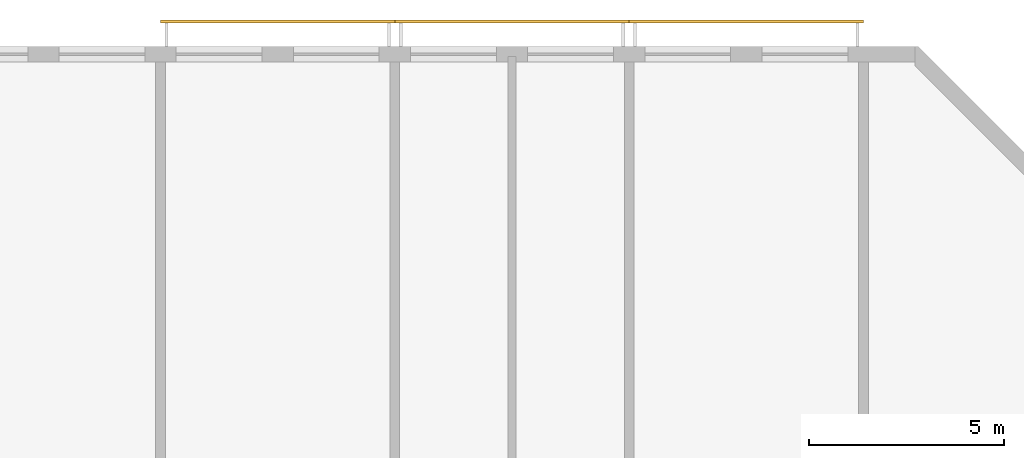
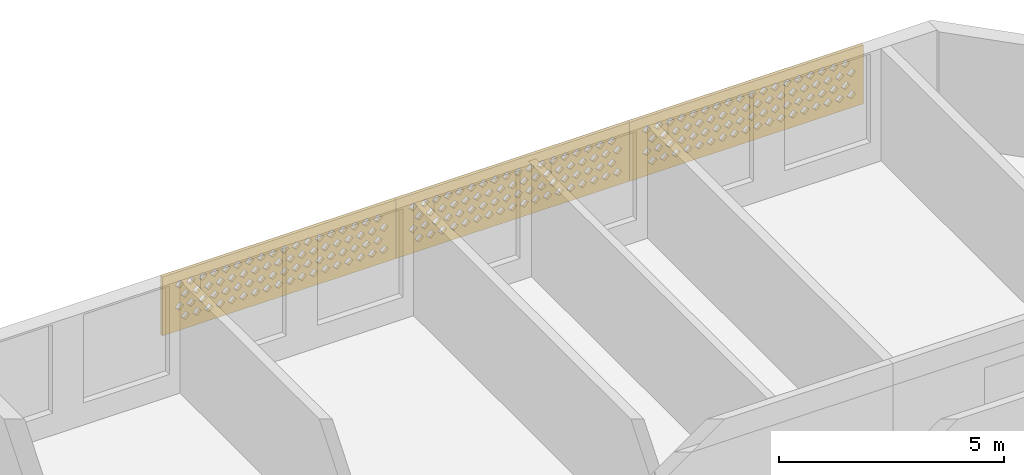
# One storey, part 15 of 16: 3 coverings.
"""IFC4 building model written with IfcOpenShell, lengths in metres."""

from ifc_helpers import new_model, si_unit, direction, frame, origin, place, context, subcontext, project, spatial, polyline, outline, extrude, source, transform, mapped, material, material_profile, profile_set, type_object, element, save


model = new_model("IFC4")

# Units and contexts
model_context = context("Model", 3, precision=1e-05, world=origin(), true_north=direction((0.0, 1.0)))
body_context = subcontext(model_context, "Body", "Model", "MODEL_VIEW")
ifc_project = project(units=[si_unit("LENGTHUNIT", "METRE"), si_unit("AREAUNIT", "SQUARE_METRE"), si_unit("VOLUMEUNIT", "CUBIC_METRE"), si_unit("PLANEANGLEUNIT", "RADIAN"), si_unit("MASSUNIT", "GRAM", prefix="KILO")], contexts=[model_context])

# Site, building, storey
site_placement = place(None, origin())
site = spatial("IfcSite", under=ifc_project, at=site_placement, CompositionType="ELEMENT")
building_placement = place(site_placement, origin())
building = spatial("IfcBuilding", under=site, at=building_placement, Name="Poui Terraces", CompositionType="ELEMENT")
storey_placement = place(building_placement, frame((0.0, 0.0, 282.300048828125)))
storey = spatial("IfcBuildingStorey", under=building, at=storey_placement, Name="L78 CROWN", CompositionType="ELEMENT", Elevation=282.300048828125)

# Coverings
ifc_material = material(Name="Terracotta screen", Category="masonry")
ifc_material_profile = material_profile(ifc_material, outline(polyline([(-3.0, -0.800048828125), (3.0, -0.800048828125), (3.0, 0.800048828125), (-3.0, 0.800048828125), (-3.0, -0.800048828125)]), holes=[polyline([(-2.800048828125, -0.449951171875), (-2.68994140625, -0.56005859375), (-2.580078125, -0.449951171875), (-2.68994140625, -0.340087890625), (-2.800048828125, -0.449951171875)]), polyline([(-2.5, -0.449951171875), (-2.389892578125, -0.56005859375), (-2.280029296875, -0.449951171875), (-2.389892578125, -0.340087890625), (-2.5, -0.449951171875)]), polyline([(-2.199951171875, -0.449951171875), (-2.090087890625, -0.56005859375), (-1.97998046875, -0.449951171875), (-2.090087890625, -0.340087890625), (-2.199951171875, -0.449951171875)]), polyline([(-1.89990234375, -0.449951171875), (-1.7900390625, -0.56005859375), (-1.679931640625, -0.449951171875), (-1.7900390625, -0.340087890625), (-1.89990234375, -0.449951171875)]), polyline([(-1.60009765625, -0.449951171875), (-1.489990234375, -0.56005859375), (-1.3798828125, -0.449951171875), (-1.489990234375, -0.340087890625), (-1.60009765625, -0.449951171875)]), polyline([(-1.300048828125, -0.449951171875), (-1.18994140625, -0.56005859375), (-1.080078125, -0.449951171875), (-1.18994140625, -0.340087890625), (-1.300048828125, -0.449951171875)]), polyline([(-1.0, -0.449951171875), (-0.889892578125, -0.56005859375), (-0.780029296875, -0.449951171875), (-0.889892578125, -0.340087890625), (-1.0, -0.449951171875)]), polyline([(-0.699951171875, -0.449951171875), (-0.590087890625, -0.56005859375), (-0.47998046875, -0.449951171875), (-0.590087890625, -0.340087890625), (-0.699951171875, -0.449951171875)]), polyline([(-0.39990234375, -0.449951171875), (-0.2900390625, -0.56005859375), (-0.179931640625, -0.449951171875), (-0.2900390625, -0.340087890625), (-0.39990234375, -0.449951171875)]), polyline([(-0.10009765625, -0.449951171875), (0.010009765625, -0.56005859375), (0.1201171875, -0.449951171875), (0.010009765625, -0.340087890625), (-0.10009765625, -0.449951171875)]), polyline([(0.199951171875, -0.449951171875), (0.31005859375, -0.56005859375), (0.419921875, -0.449951171875), (0.31005859375, -0.340087890625), (0.199951171875, -0.449951171875)]), polyline([(0.5, -0.449951171875), (0.610107421875, -0.56005859375), (0.719970703125, -0.449951171875), (0.610107421875, -0.340087890625), (0.5, -0.449951171875)]), polyline([(0.800048828125, -0.449951171875), (0.909912109375, -0.56005859375), (1.02001953125, -0.449951171875), (0.909912109375, -0.340087890625), (0.800048828125, -0.449951171875)]), polyline([(1.10009765625, -0.449951171875), (1.2099609375, -0.56005859375), (1.320068359375, -0.449951171875), (1.2099609375, -0.340087890625), (1.10009765625, -0.449951171875)]), polyline([(1.39990234375, -0.449951171875), (1.510009765625, -0.56005859375), (1.6201171875, -0.449951171875), (1.510009765625, -0.340087890625), (1.39990234375, -0.449951171875)]), polyline([(1.699951171875, -0.449951171875), (1.81005859375, -0.56005859375), (1.919921875, -0.449951171875), (1.81005859375, -0.340087890625), (1.699951171875, -0.449951171875)]), polyline([(2.0, -0.449951171875), (2.110107421875, -0.56005859375), (2.219970703125, -0.449951171875), (2.110107421875, -0.340087890625), (2.0, -0.449951171875)]), polyline([(2.300048828125, -0.449951171875), (2.409912109375, -0.56005859375), (2.52001953125, -0.449951171875), (2.409912109375, -0.340087890625), (2.300048828125, -0.449951171875)]), polyline([(-2.64990234375, -0.14990234375), (-2.5400390625, -0.260009765625), (-2.429931640625, -0.14990234375), (-2.5400390625, -0.0400390625), (-2.64990234375, -0.14990234375)]), polyline([(-2.35009765625, -0.14990234375), (-2.239990234375, -0.260009765625), (-2.1298828125, -0.14990234375), (-2.239990234375, -0.0400390625), (-2.35009765625, -0.14990234375)]), polyline([(-2.050048828125, -0.14990234375), (-1.93994140625, -0.260009765625), (-1.830078125, -0.14990234375), (-1.93994140625, -0.0400390625), (-2.050048828125, -0.14990234375)]), polyline([(-1.75, -0.14990234375), (-1.639892578125, -0.260009765625), (-1.530029296875, -0.14990234375), (-1.639892578125, -0.0400390625), (-1.75, -0.14990234375)]), polyline([(-1.449951171875, -0.14990234375), (-1.340087890625, -0.260009765625), (-1.22998046875, -0.14990234375), (-1.340087890625, -0.0400390625), (-1.449951171875, -0.14990234375)]), polyline([(-1.14990234375, -0.14990234375), (-1.0400390625, -0.260009765625), (-0.929931640625, -0.14990234375), (-1.0400390625, -0.0400390625), (-1.14990234375, -0.14990234375)]), polyline([(-0.85009765625, -0.14990234375), (-0.739990234375, -0.260009765625), (-0.6298828125, -0.14990234375), (-0.739990234375, -0.0400390625), (-0.85009765625, -0.14990234375)]), polyline([(-0.550048828125, -0.14990234375), (-0.43994140625, -0.260009765625), (-0.330078125, -0.14990234375), (-0.43994140625, -0.0400390625), (-0.550048828125, -0.14990234375)]), polyline([(-0.25, -0.14990234375), (-0.139892578125, -0.260009765625), (-0.030029296875, -0.14990234375), (-0.139892578125, -0.0400390625), (-0.25, -0.14990234375)]), polyline([(0.050048828125, -0.14990234375), (0.159912109375, -0.260009765625), (0.27001953125, -0.14990234375), (0.159912109375, -0.0400390625), (0.050048828125, -0.14990234375)]), polyline([(0.35009765625, -0.14990234375), (0.4599609375, -0.260009765625), (0.570068359375, -0.14990234375), (0.4599609375, -0.0400390625), (0.35009765625, -0.14990234375)]), polyline([(0.64990234375, -0.14990234375), (0.760009765625, -0.260009765625), (0.8701171875, -0.14990234375), (0.760009765625, -0.0400390625), (0.64990234375, -0.14990234375)]), polyline([(0.949951171875, -0.14990234375), (1.06005859375, -0.260009765625), (1.169921875, -0.14990234375), (1.06005859375, -0.0400390625), (0.949951171875, -0.14990234375)]), polyline([(1.25, -0.14990234375), (1.360107421875, -0.260009765625), (1.469970703125, -0.14990234375), (1.360107421875, -0.0400390625), (1.25, -0.14990234375)]), polyline([(1.550048828125, -0.14990234375), (1.659912109375, -0.260009765625), (1.77001953125, -0.14990234375), (1.659912109375, -0.0400390625), (1.550048828125, -0.14990234375)]), polyline([(1.85009765625, -0.14990234375), (1.9599609375, -0.260009765625), (2.070068359375, -0.14990234375), (1.9599609375, -0.0400390625), (1.85009765625, -0.14990234375)]), polyline([(2.14990234375, -0.14990234375), (2.260009765625, -0.260009765625), (2.3701171875, -0.14990234375), (2.260009765625, -0.0400390625), (2.14990234375, -0.14990234375)]), polyline([(2.449951171875, -0.14990234375), (2.56005859375, -0.260009765625), (2.669921875, -0.14990234375), (2.56005859375, -0.0400390625), (2.449951171875, -0.14990234375)]), polyline([(-2.800048828125, 0.14990234375), (-2.68994140625, 0.0400390625), (-2.580078125, 0.14990234375), (-2.68994140625, 0.260009765625), (-2.800048828125, 0.14990234375)]), polyline([(-2.5, 0.14990234375), (-2.389892578125, 0.0400390625), (-2.280029296875, 0.14990234375), (-2.389892578125, 0.260009765625), (-2.5, 0.14990234375)]), polyline([(-2.199951171875, 0.14990234375), (-2.090087890625, 0.0400390625), (-1.97998046875, 0.14990234375), (-2.090087890625, 0.260009765625), (-2.199951171875, 0.14990234375)]), polyline([(-1.89990234375, 0.14990234375), (-1.7900390625, 0.0400390625), (-1.679931640625, 0.14990234375), (-1.7900390625, 0.260009765625), (-1.89990234375, 0.14990234375)]), polyline([(-1.60009765625, 0.14990234375), (-1.489990234375, 0.0400390625), (-1.3798828125, 0.14990234375), (-1.489990234375, 0.260009765625), (-1.60009765625, 0.14990234375)]), polyline([(-1.300048828125, 0.14990234375), (-1.18994140625, 0.0400390625), (-1.080078125, 0.14990234375), (-1.18994140625, 0.260009765625), (-1.300048828125, 0.14990234375)]), polyline([(-1.0, 0.14990234375), (-0.889892578125, 0.0400390625), (-0.780029296875, 0.14990234375), (-0.889892578125, 0.260009765625), (-1.0, 0.14990234375)]), polyline([(-0.699951171875, 0.14990234375), (-0.590087890625, 0.0400390625), (-0.47998046875, 0.14990234375), (-0.590087890625, 0.260009765625), (-0.699951171875, 0.14990234375)]), polyline([(-0.39990234375, 0.14990234375), (-0.2900390625, 0.0400390625), (-0.179931640625, 0.14990234375), (-0.2900390625, 0.260009765625), (-0.39990234375, 0.14990234375)]), polyline([(-0.10009765625, 0.14990234375), (0.010009765625, 0.0400390625), (0.1201171875, 0.14990234375), (0.010009765625, 0.260009765625), (-0.10009765625, 0.14990234375)]), polyline([(0.199951171875, 0.14990234375), (0.31005859375, 0.0400390625), (0.419921875, 0.14990234375), (0.31005859375, 0.260009765625), (0.199951171875, 0.14990234375)]), polyline([(0.5, 0.14990234375), (0.610107421875, 0.0400390625), (0.719970703125, 0.14990234375), (0.610107421875, 0.260009765625), (0.5, 0.14990234375)]), polyline([(0.800048828125, 0.14990234375), (0.909912109375, 0.0400390625), (1.02001953125, 0.14990234375), (0.909912109375, 0.260009765625), (0.800048828125, 0.14990234375)]), polyline([(1.10009765625, 0.14990234375), (1.2099609375, 0.0400390625), (1.320068359375, 0.14990234375), (1.2099609375, 0.260009765625), (1.10009765625, 0.14990234375)]), polyline([(1.39990234375, 0.14990234375), (1.510009765625, 0.0400390625), (1.6201171875, 0.14990234375), (1.510009765625, 0.260009765625), (1.39990234375, 0.14990234375)]), polyline([(1.699951171875, 0.14990234375), (1.81005859375, 0.0400390625), (1.919921875, 0.14990234375), (1.81005859375, 0.260009765625), (1.699951171875, 0.14990234375)]), polyline([(2.0, 0.14990234375), (2.110107421875, 0.0400390625), (2.219970703125, 0.14990234375), (2.110107421875, 0.260009765625), (2.0, 0.14990234375)]), polyline([(2.300048828125, 0.14990234375), (2.409912109375, 0.0400390625), (2.52001953125, 0.14990234375), (2.409912109375, 0.260009765625), (2.300048828125, 0.14990234375)]), polyline([(-2.64990234375, 0.449951171875), (-2.5400390625, 0.340087890625), (-2.429931640625, 0.449951171875), (-2.5400390625, 0.56005859375), (-2.64990234375, 0.449951171875)]), polyline([(-2.35009765625, 0.449951171875), (-2.239990234375, 0.340087890625), (-2.1298828125, 0.449951171875), (-2.239990234375, 0.56005859375), (-2.35009765625, 0.449951171875)]), polyline([(-2.050048828125, 0.449951171875), (-1.93994140625, 0.340087890625), (-1.830078125, 0.449951171875), (-1.93994140625, 0.56005859375), (-2.050048828125, 0.449951171875)]), polyline([(-1.75, 0.449951171875), (-1.639892578125, 0.340087890625), (-1.530029296875, 0.449951171875), (-1.639892578125, 0.56005859375), (-1.75, 0.449951171875)]), polyline([(-1.449951171875, 0.449951171875), (-1.340087890625, 0.340087890625), (-1.22998046875, 0.449951171875), (-1.340087890625, 0.56005859375), (-1.449951171875, 0.449951171875)]), polyline([(-1.14990234375, 0.449951171875), (-1.0400390625, 0.340087890625), (-0.929931640625, 0.449951171875), (-1.0400390625, 0.56005859375), (-1.14990234375, 0.449951171875)]), polyline([(-0.85009765625, 0.449951171875), (-0.739990234375, 0.340087890625), (-0.6298828125, 0.449951171875), (-0.739990234375, 0.56005859375), (-0.85009765625, 0.449951171875)]), polyline([(-0.550048828125, 0.449951171875), (-0.43994140625, 0.340087890625), (-0.330078125, 0.449951171875), (-0.43994140625, 0.56005859375), (-0.550048828125, 0.449951171875)]), polyline([(-0.25, 0.449951171875), (-0.139892578125, 0.340087890625), (-0.030029296875, 0.449951171875), (-0.139892578125, 0.56005859375), (-0.25, 0.449951171875)]), polyline([(0.050048828125, 0.449951171875), (0.159912109375, 0.340087890625), (0.27001953125, 0.449951171875), (0.159912109375, 0.56005859375), (0.050048828125, 0.449951171875)]), polyline([(0.35009765625, 0.449951171875), (0.4599609375, 0.340087890625), (0.570068359375, 0.449951171875), (0.4599609375, 0.56005859375), (0.35009765625, 0.449951171875)]), polyline([(0.64990234375, 0.449951171875), (0.760009765625, 0.340087890625), (0.8701171875, 0.449951171875), (0.760009765625, 0.56005859375), (0.64990234375, 0.449951171875)]), polyline([(0.949951171875, 0.449951171875), (1.06005859375, 0.340087890625), (1.169921875, 0.449951171875), (1.06005859375, 0.56005859375), (0.949951171875, 0.449951171875)]), polyline([(1.25, 0.449951171875), (1.360107421875, 0.340087890625), (1.469970703125, 0.449951171875), (1.360107421875, 0.56005859375), (1.25, 0.449951171875)]), polyline([(1.550048828125, 0.449951171875), (1.659912109375, 0.340087890625), (1.77001953125, 0.449951171875), (1.659912109375, 0.56005859375), (1.550048828125, 0.449951171875)]), polyline([(1.85009765625, 0.449951171875), (1.9599609375, 0.340087890625), (2.070068359375, 0.449951171875), (1.9599609375, 0.56005859375), (1.85009765625, 0.449951171875)]), polyline([(2.14990234375, 0.449951171875), (2.260009765625, 0.340087890625), (2.3701171875, 0.449951171875), (2.260009765625, 0.56005859375), (2.14990234375, 0.449951171875)]), polyline([(2.449951171875, 0.449951171875), (2.56005859375, 0.340087890625), (2.669921875, 0.449951171875), (2.56005859375, 0.56005859375), (2.449951171875, 0.449951171875)])]), Name="TERRACOTTA SOLAR SCREEN 6000X1600")
ifc_profile_set = profile_set([ifc_material_profile], Name="Terracotta screen")
covering_type = type_object("IfcCoveringType", Name="TERRACOTTA SOLAR SCREEN 6000X1600", PredefinedType="CLADDING", material=ifc_profile_set)
shared_shape = source(origin(), body_context, "Body", "SweptSolid", [
    extrude(outline(polyline([(-3.0, -0.800048828125), (3.0, -0.800048828125), (3.0, 0.800048828125), (-3.0, 0.800048828125), (-3.0, -0.800048828125)]), holes=[polyline([(-2.800048828125, -0.449951171875), (-2.68994140625, -0.56005859375), (-2.580078125, -0.449951171875), (-2.68994140625, -0.340087890625), (-2.800048828125, -0.449951171875)]), polyline([(-2.5, -0.449951171875), (-2.389892578125, -0.56005859375), (-2.280029296875, -0.449951171875), (-2.389892578125, -0.340087890625), (-2.5, -0.449951171875)]), polyline([(-2.199951171875, -0.449951171875), (-2.090087890625, -0.56005859375), (-1.97998046875, -0.449951171875), (-2.090087890625, -0.340087890625), (-2.199951171875, -0.449951171875)]), polyline([(-1.89990234375, -0.449951171875), (-1.7900390625, -0.56005859375), (-1.679931640625, -0.449951171875), (-1.7900390625, -0.340087890625), (-1.89990234375, -0.449951171875)]), polyline([(-1.60009765625, -0.449951171875), (-1.489990234375, -0.56005859375), (-1.3798828125, -0.449951171875), (-1.489990234375, -0.340087890625), (-1.60009765625, -0.449951171875)]), polyline([(-1.300048828125, -0.449951171875), (-1.18994140625, -0.56005859375), (-1.080078125, -0.449951171875), (-1.18994140625, -0.340087890625), (-1.300048828125, -0.449951171875)]), polyline([(-1.0, -0.449951171875), (-0.889892578125, -0.56005859375), (-0.780029296875, -0.449951171875), (-0.889892578125, -0.340087890625), (-1.0, -0.449951171875)]), polyline([(-0.699951171875, -0.449951171875), (-0.590087890625, -0.56005859375), (-0.47998046875, -0.449951171875), (-0.590087890625, -0.340087890625), (-0.699951171875, -0.449951171875)]), polyline([(-0.39990234375, -0.449951171875), (-0.2900390625, -0.56005859375), (-0.179931640625, -0.449951171875), (-0.2900390625, -0.340087890625), (-0.39990234375, -0.449951171875)]), polyline([(-0.10009765625, -0.449951171875), (0.010009765625, -0.56005859375), (0.1201171875, -0.449951171875), (0.010009765625, -0.340087890625), (-0.10009765625, -0.449951171875)]), polyline([(0.199951171875, -0.449951171875), (0.31005859375, -0.56005859375), (0.419921875, -0.449951171875), (0.31005859375, -0.340087890625), (0.199951171875, -0.449951171875)]), polyline([(0.5, -0.449951171875), (0.610107421875, -0.56005859375), (0.719970703125, -0.449951171875), (0.610107421875, -0.340087890625), (0.5, -0.449951171875)]), polyline([(0.800048828125, -0.449951171875), (0.909912109375, -0.56005859375), (1.02001953125, -0.449951171875), (0.909912109375, -0.340087890625), (0.800048828125, -0.449951171875)]), polyline([(1.10009765625, -0.449951171875), (1.2099609375, -0.56005859375), (1.320068359375, -0.449951171875), (1.2099609375, -0.340087890625), (1.10009765625, -0.449951171875)]), polyline([(1.39990234375, -0.449951171875), (1.510009765625, -0.56005859375), (1.6201171875, -0.449951171875), (1.510009765625, -0.340087890625), (1.39990234375, -0.449951171875)]), polyline([(1.699951171875, -0.449951171875), (1.81005859375, -0.56005859375), (1.919921875, -0.449951171875), (1.81005859375, -0.340087890625), (1.699951171875, -0.449951171875)]), polyline([(2.0, -0.449951171875), (2.110107421875, -0.56005859375), (2.219970703125, -0.449951171875), (2.110107421875, -0.340087890625), (2.0, -0.449951171875)]), polyline([(2.300048828125, -0.449951171875), (2.409912109375, -0.56005859375), (2.52001953125, -0.449951171875), (2.409912109375, -0.340087890625), (2.300048828125, -0.449951171875)]), polyline([(-2.64990234375, -0.14990234375), (-2.5400390625, -0.260009765625), (-2.429931640625, -0.14990234375), (-2.5400390625, -0.0400390625), (-2.64990234375, -0.14990234375)]), polyline([(-2.35009765625, -0.14990234375), (-2.239990234375, -0.260009765625), (-2.1298828125, -0.14990234375), (-2.239990234375, -0.0400390625), (-2.35009765625, -0.14990234375)]), polyline([(-2.050048828125, -0.14990234375), (-1.93994140625, -0.260009765625), (-1.830078125, -0.14990234375), (-1.93994140625, -0.0400390625), (-2.050048828125, -0.14990234375)]), polyline([(-1.75, -0.14990234375), (-1.639892578125, -0.260009765625), (-1.530029296875, -0.14990234375), (-1.639892578125, -0.0400390625), (-1.75, -0.14990234375)]), polyline([(-1.449951171875, -0.14990234375), (-1.340087890625, -0.260009765625), (-1.22998046875, -0.14990234375), (-1.340087890625, -0.0400390625), (-1.449951171875, -0.14990234375)]), polyline([(-1.14990234375, -0.14990234375), (-1.0400390625, -0.260009765625), (-0.929931640625, -0.14990234375), (-1.0400390625, -0.0400390625), (-1.14990234375, -0.14990234375)]), polyline([(-0.85009765625, -0.14990234375), (-0.739990234375, -0.260009765625), (-0.6298828125, -0.14990234375), (-0.739990234375, -0.0400390625), (-0.85009765625, -0.14990234375)]), polyline([(-0.550048828125, -0.14990234375), (-0.43994140625, -0.260009765625), (-0.330078125, -0.14990234375), (-0.43994140625, -0.0400390625), (-0.550048828125, -0.14990234375)]), polyline([(-0.25, -0.14990234375), (-0.139892578125, -0.260009765625), (-0.030029296875, -0.14990234375), (-0.139892578125, -0.0400390625), (-0.25, -0.14990234375)]), polyline([(0.050048828125, -0.14990234375), (0.159912109375, -0.260009765625), (0.27001953125, -0.14990234375), (0.159912109375, -0.0400390625), (0.050048828125, -0.14990234375)]), polyline([(0.35009765625, -0.14990234375), (0.4599609375, -0.260009765625), (0.570068359375, -0.14990234375), (0.4599609375, -0.0400390625), (0.35009765625, -0.14990234375)]), polyline([(0.64990234375, -0.14990234375), (0.760009765625, -0.260009765625), (0.8701171875, -0.14990234375), (0.760009765625, -0.0400390625), (0.64990234375, -0.14990234375)]), polyline([(0.949951171875, -0.14990234375), (1.06005859375, -0.260009765625), (1.169921875, -0.14990234375), (1.06005859375, -0.0400390625), (0.949951171875, -0.14990234375)]), polyline([(1.25, -0.14990234375), (1.360107421875, -0.260009765625), (1.469970703125, -0.14990234375), (1.360107421875, -0.0400390625), (1.25, -0.14990234375)]), polyline([(1.550048828125, -0.14990234375), (1.659912109375, -0.260009765625), (1.77001953125, -0.14990234375), (1.659912109375, -0.0400390625), (1.550048828125, -0.14990234375)]), polyline([(1.85009765625, -0.14990234375), (1.9599609375, -0.260009765625), (2.070068359375, -0.14990234375), (1.9599609375, -0.0400390625), (1.85009765625, -0.14990234375)]), polyline([(2.14990234375, -0.14990234375), (2.260009765625, -0.260009765625), (2.3701171875, -0.14990234375), (2.260009765625, -0.0400390625), (2.14990234375, -0.14990234375)]), polyline([(2.449951171875, -0.14990234375), (2.56005859375, -0.260009765625), (2.669921875, -0.14990234375), (2.56005859375, -0.0400390625), (2.449951171875, -0.14990234375)]), polyline([(-2.800048828125, 0.14990234375), (-2.68994140625, 0.0400390625), (-2.580078125, 0.14990234375), (-2.68994140625, 0.260009765625), (-2.800048828125, 0.14990234375)]), polyline([(-2.5, 0.14990234375), (-2.389892578125, 0.0400390625), (-2.280029296875, 0.14990234375), (-2.389892578125, 0.260009765625), (-2.5, 0.14990234375)]), polyline([(-2.199951171875, 0.14990234375), (-2.090087890625, 0.0400390625), (-1.97998046875, 0.14990234375), (-2.090087890625, 0.260009765625), (-2.199951171875, 0.14990234375)]), polyline([(-1.89990234375, 0.14990234375), (-1.7900390625, 0.0400390625), (-1.679931640625, 0.14990234375), (-1.7900390625, 0.260009765625), (-1.89990234375, 0.14990234375)]), polyline([(-1.60009765625, 0.14990234375), (-1.489990234375, 0.0400390625), (-1.3798828125, 0.14990234375), (-1.489990234375, 0.260009765625), (-1.60009765625, 0.14990234375)]), polyline([(-1.300048828125, 0.14990234375), (-1.18994140625, 0.0400390625), (-1.080078125, 0.14990234375), (-1.18994140625, 0.260009765625), (-1.300048828125, 0.14990234375)]), polyline([(-1.0, 0.14990234375), (-0.889892578125, 0.0400390625), (-0.780029296875, 0.14990234375), (-0.889892578125, 0.260009765625), (-1.0, 0.14990234375)]), polyline([(-0.699951171875, 0.14990234375), (-0.590087890625, 0.0400390625), (-0.47998046875, 0.14990234375), (-0.590087890625, 0.260009765625), (-0.699951171875, 0.14990234375)]), polyline([(-0.39990234375, 0.14990234375), (-0.2900390625, 0.0400390625), (-0.179931640625, 0.14990234375), (-0.2900390625, 0.260009765625), (-0.39990234375, 0.14990234375)]), polyline([(-0.10009765625, 0.14990234375), (0.010009765625, 0.0400390625), (0.1201171875, 0.14990234375), (0.010009765625, 0.260009765625), (-0.10009765625, 0.14990234375)]), polyline([(0.199951171875, 0.14990234375), (0.31005859375, 0.0400390625), (0.419921875, 0.14990234375), (0.31005859375, 0.260009765625), (0.199951171875, 0.14990234375)]), polyline([(0.5, 0.14990234375), (0.610107421875, 0.0400390625), (0.719970703125, 0.14990234375), (0.610107421875, 0.260009765625), (0.5, 0.14990234375)]), polyline([(0.800048828125, 0.14990234375), (0.909912109375, 0.0400390625), (1.02001953125, 0.14990234375), (0.909912109375, 0.260009765625), (0.800048828125, 0.14990234375)]), polyline([(1.10009765625, 0.14990234375), (1.2099609375, 0.0400390625), (1.320068359375, 0.14990234375), (1.2099609375, 0.260009765625), (1.10009765625, 0.14990234375)]), polyline([(1.39990234375, 0.14990234375), (1.510009765625, 0.0400390625), (1.6201171875, 0.14990234375), (1.510009765625, 0.260009765625), (1.39990234375, 0.14990234375)]), polyline([(1.699951171875, 0.14990234375), (1.81005859375, 0.0400390625), (1.919921875, 0.14990234375), (1.81005859375, 0.260009765625), (1.699951171875, 0.14990234375)]), polyline([(2.0, 0.14990234375), (2.110107421875, 0.0400390625), (2.219970703125, 0.14990234375), (2.110107421875, 0.260009765625), (2.0, 0.14990234375)]), polyline([(2.300048828125, 0.14990234375), (2.409912109375, 0.0400390625), (2.52001953125, 0.14990234375), (2.409912109375, 0.260009765625), (2.300048828125, 0.14990234375)]), polyline([(-2.64990234375, 0.449951171875), (-2.5400390625, 0.340087890625), (-2.429931640625, 0.449951171875), (-2.5400390625, 0.56005859375), (-2.64990234375, 0.449951171875)]), polyline([(-2.35009765625, 0.449951171875), (-2.239990234375, 0.340087890625), (-2.1298828125, 0.449951171875), (-2.239990234375, 0.56005859375), (-2.35009765625, 0.449951171875)]), polyline([(-2.050048828125, 0.449951171875), (-1.93994140625, 0.340087890625), (-1.830078125, 0.449951171875), (-1.93994140625, 0.56005859375), (-2.050048828125, 0.449951171875)]), polyline([(-1.75, 0.449951171875), (-1.639892578125, 0.340087890625), (-1.530029296875, 0.449951171875), (-1.639892578125, 0.56005859375), (-1.75, 0.449951171875)]), polyline([(-1.449951171875, 0.449951171875), (-1.340087890625, 0.340087890625), (-1.22998046875, 0.449951171875), (-1.340087890625, 0.56005859375), (-1.449951171875, 0.449951171875)]), polyline([(-1.14990234375, 0.449951171875), (-1.0400390625, 0.340087890625), (-0.929931640625, 0.449951171875), (-1.0400390625, 0.56005859375), (-1.14990234375, 0.449951171875)]), polyline([(-0.85009765625, 0.449951171875), (-0.739990234375, 0.340087890625), (-0.6298828125, 0.449951171875), (-0.739990234375, 0.56005859375), (-0.85009765625, 0.449951171875)]), polyline([(-0.550048828125, 0.449951171875), (-0.43994140625, 0.340087890625), (-0.330078125, 0.449951171875), (-0.43994140625, 0.56005859375), (-0.550048828125, 0.449951171875)]), polyline([(-0.25, 0.449951171875), (-0.139892578125, 0.340087890625), (-0.030029296875, 0.449951171875), (-0.139892578125, 0.56005859375), (-0.25, 0.449951171875)]), polyline([(0.050048828125, 0.449951171875), (0.159912109375, 0.340087890625), (0.27001953125, 0.449951171875), (0.159912109375, 0.56005859375), (0.050048828125, 0.449951171875)]), polyline([(0.35009765625, 0.449951171875), (0.4599609375, 0.340087890625), (0.570068359375, 0.449951171875), (0.4599609375, 0.56005859375), (0.35009765625, 0.449951171875)]), polyline([(0.64990234375, 0.449951171875), (0.760009765625, 0.340087890625), (0.8701171875, 0.449951171875), (0.760009765625, 0.56005859375), (0.64990234375, 0.449951171875)]), polyline([(0.949951171875, 0.449951171875), (1.06005859375, 0.340087890625), (1.169921875, 0.449951171875), (1.06005859375, 0.56005859375), (0.949951171875, 0.449951171875)]), polyline([(1.25, 0.449951171875), (1.360107421875, 0.340087890625), (1.469970703125, 0.449951171875), (1.360107421875, 0.56005859375), (1.25, 0.449951171875)]), polyline([(1.550048828125, 0.449951171875), (1.659912109375, 0.340087890625), (1.77001953125, 0.449951171875), (1.659912109375, 0.56005859375), (1.550048828125, 0.449951171875)]), polyline([(1.85009765625, 0.449951171875), (1.9599609375, 0.340087890625), (2.070068359375, 0.449951171875), (1.9599609375, 0.56005859375), (1.85009765625, 0.449951171875)]), polyline([(2.14990234375, 0.449951171875), (2.260009765625, 0.340087890625), (2.3701171875, 0.449951171875), (2.260009765625, 0.56005859375), (2.14990234375, 0.449951171875)]), polyline([(2.449951171875, 0.449951171875), (2.56005859375, 0.340087890625), (2.669921875, 0.449951171875), (2.56005859375, 0.56005859375), (2.449951171875, 0.449951171875)])]), origin(), (0.0, 0.0, 1.0), 0.080078125),
])
for number, where, z_axis, x_axis, name in (
    (1, (63.0, 42.0, 1.699951171875), (0.0, 1.0, 0.0), (-1.0, 0.0, 0.0), "SOLAR SCREEN"),
    (2, (69.0, 42.0, 1.699951171875), (0.0, 1.0, 0.0), (-1.0, 0.0, 0.0), "SOLAR SCREEN"),
    (3, (75.0, 42.0, 1.699951171875), (0.0, 1.0, 0.0), (-1.0, 0.0, 0.0), "SOLAR SCREEN"),
):
    element("IfcCovering", number, at=place(storey_placement, frame(where, z_axis=z_axis, x_axis=x_axis)), inside=storey, type_object=covering_type, Name=name, PredefinedType="CLADDING", context=body_context, shape_type="MappedRepresentation", body=[
        mapped(shared_shape, transform((0.0, 0.0, 0.0))),
    ])

save(model, "model.ifc")
